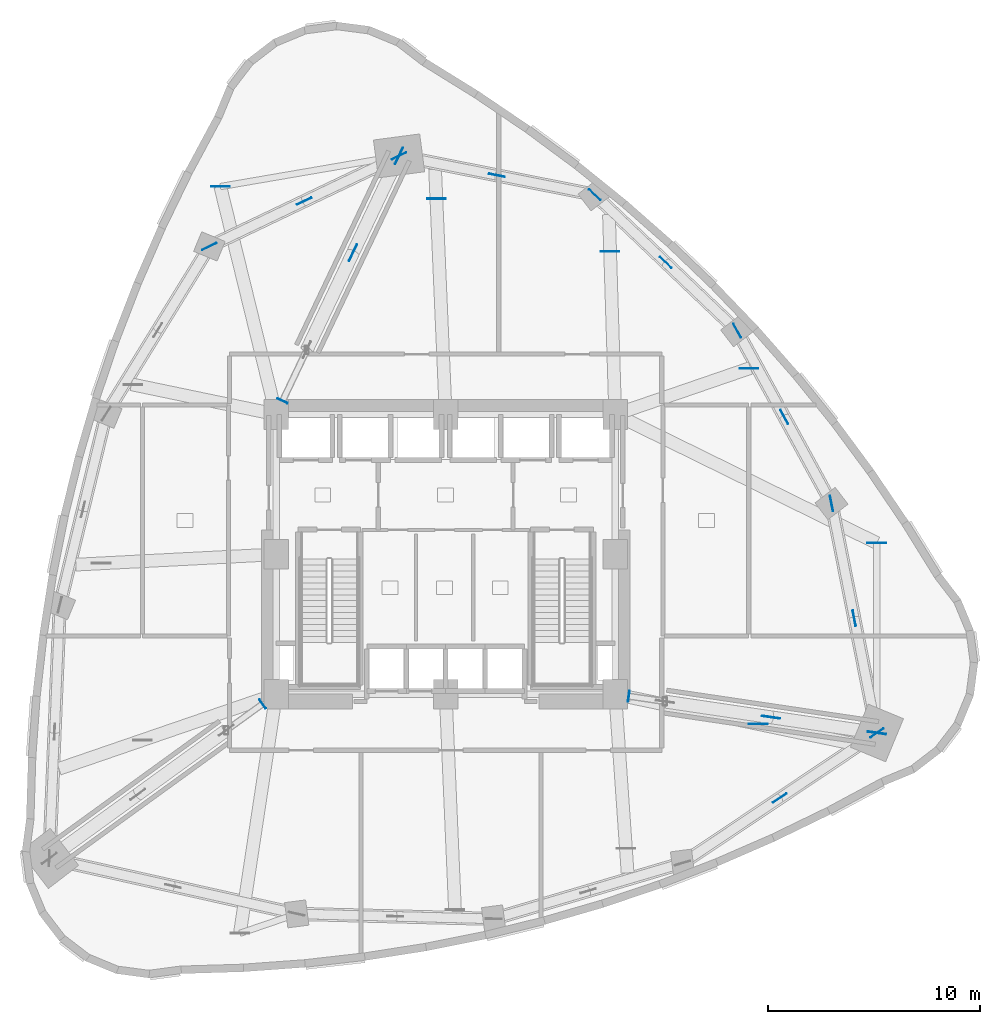
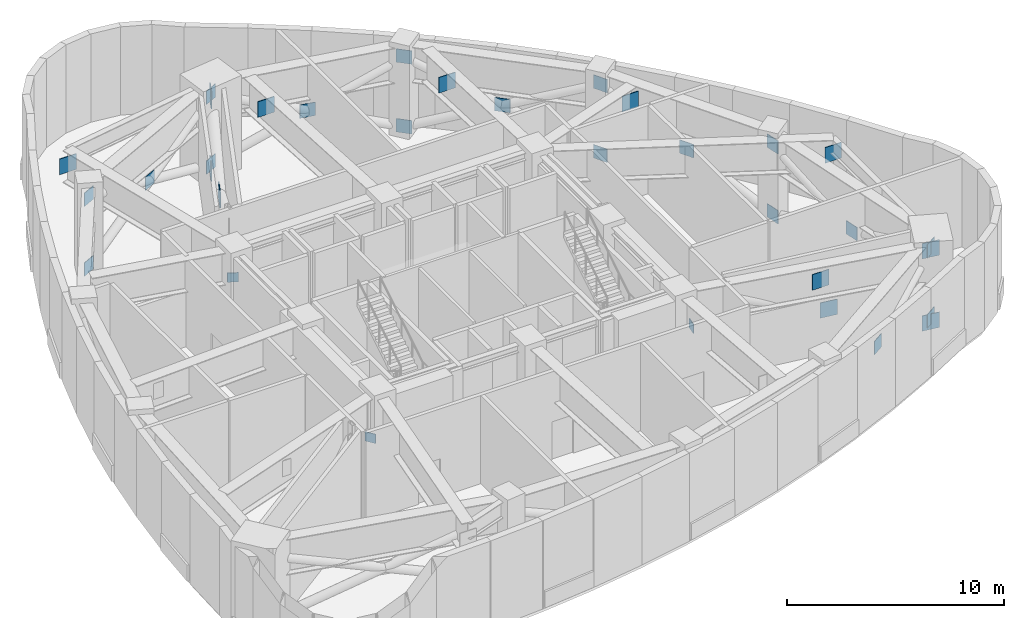
# One storey, part 5 of 13: 33 plates.
"""IFC4 building model written with IfcOpenShell, lengths in metres."""

import ifcopenshell
import ifcopenshell.guid

model = None  # the IFC model being written
_history = None  # IfcOwnerHistory: only IFC2X3 demands one
_inside = {}  # id of a spatial element -> (the spatial element, [elements in it])
_under = {}  # id of a project, library or spatial element -> (it, [spatial elements below it])
_declared = {}  # id of a project -> (the project, [libraries it declares])
_typed = {}  # id of a type object -> (the type object, [elements of that type])
_made_of = {}  # id of a material, layer set ... -> (it, [elements and type objects made of it])


def new_model(schema):
    """Start an empty IFC model of exactly this schema.

    Asked for "IFC4X3", IfcOpenShell would pick the latest addendum, in which some entities
    have other attributes; the version numbers below select the first issue.
    IFC2X3 requires an IfcOwnerHistory on every rooted entity: one is made here for all.
    """
    global model, _history
    if schema == "IFC4X3":
        model = ifcopenshell.file(schema_version=(4, 3, 0, 0))
    else:
        model = ifcopenshell.file(schema=schema)
    _inside.clear()
    _under.clear()
    _declared.clear()
    _typed.clear()
    _made_of.clear()
    _history = None
    if model.schema == "IFC2X3":
        org = make("IfcOrganization", Name="unknown")
        user = make(
            "IfcPersonAndOrganization",
            ThePerson=make("IfcPerson", FamilyName="unknown"),
            TheOrganization=org,
        )
        app = make(
            "IfcApplication",
            ApplicationDeveloper=org,
            Version="unknown",
            ApplicationFullName="unknown",
            ApplicationIdentifier="unknown",
        )
        _history = make(
            "IfcOwnerHistory",
            OwningUser=user,
            OwningApplication=app,
            ChangeAction="ADDED",
            CreationDate=0,
        )
    return model


def make(cls, **values):
    """One entity of the class cls with the attributes given. An attribute that is None is left unset."""
    return model.create_entity(
        cls, **{name: value for name, value in values.items() if value is not None}
    )


def rooted(cls, **values):
    """An entity with a GlobalId (a new one), such as an element, a storey or a relation."""
    return make(cls, GlobalId=ifcopenshell.guid.new(), OwnerHistory=_history, **values)


def si_unit(unit_type, name, prefix=None):
    """IfcSIUnit, for example si_unit("LENGTHUNIT", "METRE", prefix="MILLI")."""
    return make("IfcSIUnit", UnitType=unit_type, Prefix=prefix, Name=name)


def assignment(units):
    """IfcUnitAssignment: the units of a project."""
    return None if units is None else make("IfcUnitAssignment", Units=units)


def point(xyz):
    """IfcCartesianPoint."""
    return None if xyz is None else make("IfcCartesianPoint", Coordinates=xyz)


def direction(xyz):
    """IfcDirection."""
    return None if xyz is None else make("IfcDirection", DirectionRatios=xyz)


def frame(location, z_axis=None, x_axis=None):
    """IfcAxis2Placement3D, a coordinate frame: its origin and axes. An axis left out is left unset."""
    return make(
        "IfcAxis2Placement3D",
        Location=point(location),
        Axis=direction(z_axis),
        RefDirection=direction(x_axis),
    )


def frame_2d(location, x_axis=None):
    """IfcAxis2Placement2D, a coordinate frame in the plane: its origin and x axis."""
    return make(
        "IfcAxis2Placement2D", Location=point(location), RefDirection=direction(x_axis)
    )


def origin():
    """The frame at (0, 0, 0) with its axes left unset."""
    return frame((0.0, 0.0, 0.0))


def origin_2d():
    """The frame at (0, 0) in the plane with its x axis left unset."""
    return frame_2d((0.0, 0.0))


def place(relative_to, where):
    """IfcLocalPlacement: puts the frame where relative to a parent placement (None: the world)."""
    return make(
        "IfcLocalPlacement", PlacementRelTo=relative_to, RelativePlacement=where
    )


def context(
    kind, dimensions, precision=None, world=None, true_north=None, identifier=None
):
    """IfcGeometricRepresentationContext, for example the 3D "Model" context."""
    return make(
        "IfcGeometricRepresentationContext",
        ContextIdentifier=identifier,
        ContextType=kind,
        CoordinateSpaceDimension=dimensions,
        Precision=precision,
        WorldCoordinateSystem=world,
        TrueNorth=true_north,
    )


def subcontext(parent, identifier, kind, view, scale=None):
    """IfcGeometricRepresentationSubContext, for example "Body" below "Model"."""
    return make(
        "IfcGeometricRepresentationSubContext",
        ContextIdentifier=identifier,
        ContextType=kind,
        ParentContext=parent,
        TargetScale=scale,
        TargetView=view,
    )


def project(units=None, contexts=None):
    """IfcProject with its units and contexts."""
    return rooted(
        "IfcProject",
        Name="project",
        RepresentationContexts=contexts,
        UnitsInContext=assignment(units),
    )


def spatial(cls, under=None, at=None, **own):
    """A site, building, storey or space (cls), placed at a placement, below another one or the project."""
    s = rooted(cls, ObjectPlacement=at, **own)
    if under is not None:
        _under.setdefault(under.id(), (under, []))[1].append(s)
    return s


def profile(cls, at=None, kind="AREA", **sizes):
    """A parametric profile (cls). Its sizes go by their IFC names, for example OverallWidth=200.0."""
    return make(cls, ProfileType=kind, Position=at, **sizes)


def rectangle(**sizes):
    """IfcRectangleProfileDef."""
    return profile("IfcRectangleProfileDef", **sizes)


def extrude(swept, where, along, depth):
    """IfcExtrudedAreaSolid: the profile swept, set in the frame where, extruded along a direction by depth."""
    return make(
        "IfcExtrudedAreaSolid",
        SweptArea=swept,
        Position=where,
        ExtrudedDirection=direction(along),
        Depth=depth,
    )


def shape(context_of_items, identifier, shape_type, items):
    """IfcShapeRepresentation: the items that make up one representation, for example the "Body"."""
    return make(
        "IfcShapeRepresentation",
        ContextOfItems=context_of_items,
        RepresentationIdentifier=identifier,
        RepresentationType=shape_type,
        Items=items,
    )


def material(Name=None, Category=None):
    """IfcMaterial."""
    return make("IfcMaterial", Name=Name, Category=Category)


def layer(
    of_material, thickness, ventilated=None, Name=None, Category=None, Priority=None
):
    """IfcMaterialLayer: one layer of a wall or slab, of a material (None: an air gap)."""
    return make(
        "IfcMaterialLayer",
        Material=of_material,
        LayerThickness=thickness,
        IsVentilated=ventilated,
        Name=Name,
        Category=Category,
        Priority=Priority,
    )


def layer_set(layers, Name=None):
    """IfcMaterialLayerSet."""
    return make("IfcMaterialLayerSet", MaterialLayers=layers, LayerSetName=Name)


def made_of(thing, what):
    """Note that an element or type object is made of a material, layer set ...; save() writes the relation."""
    if what is not None:
        _made_of.setdefault(what.id(), (what, []))[1].append(thing)
    return thing


def type_object(cls, material=None, **own):
    """A type object (cls), such as IfcWallType, which elements share."""
    return made_of(rooted(cls, **own), material)


def element(
    cls,
    number,
    at=None,
    inside=None,
    cuts=None,
    type_object=None,
    material=None,
    context=None,
    identifier="Body",
    shape_type=None,
    held_by="IfcProductDefinitionShape",
    body=None,
    shapes=None,
    **own,
):
    """One element of the class cls, such as IfcWall. Its Tag is "e" and its number.

    at: its placement. inside: the storey or other place that contains it. cuts: it is an
    opening in that element (IfcRelVoidsElement). A single representation is given by context,
    identifier, shape_type and body (its items); several are given by shapes. held_by: the class
    of the entity that holds the representations. save() writes the other relations.
    """
    e = rooted(cls, Tag="e%d" % number, ObjectPlacement=at, **own)
    if body is not None:
        shapes = [shape(context, identifier, shape_type, body)]
    if shapes is not None:
        e.Representation = make(held_by, Representations=shapes)
    if inside is not None:
        _inside.setdefault(inside.id(), (inside, []))[1].append(e)
    if cuts is not None:
        rooted(
            "IfcRelVoidsElement", RelatingBuildingElement=cuts, RelatedOpeningElement=e
        )
    if type_object is not None:
        _typed.setdefault(type_object.id(), (type_object, []))[1].append(e)
    return made_of(e, material)


def aggregate(whole, parts):
    """IfcRelAggregates: a whole, such as a stair, and the parts it consists of."""
    return rooted("IfcRelAggregates", RelatingObject=whole, RelatedObjects=parts)


def save(model, path):
    """Write the relations noted so far, then the file.

    IfcRelAggregates (storeys below a building ...), IfcRelContainedInSpatialStructure (elements
    in a storey), IfcRelDefinesByType, IfcRelAssociatesMaterial and IfcRelDeclares: one each for
    every whole, place, type object, material and project.
    """
    for whole, parts in _under.values():
        aggregate(whole, parts)
    for where, things in _inside.values():
        rooted(
            "IfcRelContainedInSpatialStructure",
            RelatedElements=things,
            RelatingStructure=where,
        )
    for kind, things in _typed.values():
        rooted("IfcRelDefinesByType", RelatedObjects=things, RelatingType=kind)
    for what, things in _made_of.values():
        rooted("IfcRelAssociatesMaterial", RelatedObjects=things, RelatingMaterial=what)
    for by, libraries in _declared.values():
        rooted("IfcRelDeclares", RelatingContext=by, RelatedDefinitions=libraries)
    model.write(path)


model = new_model("IFC4")

# Units and contexts
model_context = context("Model", 3, precision=1e-05, world=origin(), true_north=direction((0.0, 1.0)))
body_context = subcontext(model_context, "Body", "Model", "MODEL_VIEW")
ifc_project = project(units=[si_unit("LENGTHUNIT", "METRE"), si_unit("AREAUNIT", "SQUARE_METRE"), si_unit("VOLUMEUNIT", "CUBIC_METRE"), si_unit("PLANEANGLEUNIT", "RADIAN"), si_unit("MASSUNIT", "GRAM", prefix="KILO")], contexts=[model_context])

# Site, building, storey
site_placement = place(None, origin())
site = spatial("IfcSite", under=ifc_project, at=site_placement, CompositionType="ELEMENT")
building_placement = place(site_placement, origin())
building = spatial("IfcBuilding", under=site, at=building_placement, Name="Ndelora Gate Hotel", CompositionType="ELEMENT")
storey_placement = place(building_placement, frame((0.0, 0.0, 83.0)))
storey = spatial("IfcBuildingStorey", under=building, at=storey_placement, Name="L20", CompositionType="ELEMENT", Elevation=83.0)

# Plates
ifc_material = material(Name="Steel S460", Category="steel")
ifc_layer_1 = layer(ifc_material, 0.035888671875)
ifc_layer_set_1 = layer_set([ifc_layer_1], Name="Steel S460")
plate_type_1 = type_object("IfcPlateType", Name="PL-EMBED-EP1", PredefinedType="USERDEFINED", material=ifc_layer_set_1)
for number, where, z_axis, x_axis, name in (
    (1, (-7.69580078125, 7.239990234375, 2.5400390625), (0.0, 0.0, 1.0), (-0.903110579136, 0.429408059837, 0.0), "L20 Core shear-wall cast-in embed plate EP1"),
    (2, (-8.639892578125, -7.0634765625, 2.5400390625), (0.0, 0.0, 1.0), (-0.586513726741, 0.809939286826, 0.0), "L20 Core shear-wall cast-in embed plate EP1"),
    (3, (8.639892578125, -6.69482421875, 2.5400390625), (0.0, 0.0, 1.0), (0.146600990296, 0.989195708464, 0.0), "L20 Core shear-wall cast-in embed plate EP1"),
):
    element("IfcPlate", number, at=place(storey_placement, frame(where, z_axis=z_axis, x_axis=x_axis)), inside=storey, type_object=plate_type_1, Name=name, ObjectType="BASE_PLATE", PredefinedType="USERDEFINED", context=body_context, shape_type="SweptSolid", body=[
        extrude(rectangle(XDim=0.52001953125, YDim=0.035888671875, at=origin_2d()), origin(), (0.0, 0.0, 1.0), 0.52001953125),
    ])
ifc_layer_2 = layer(ifc_material, 0.031982421875)
ifc_layer_set_2 = layer_set([ifc_layer_2], Name="Steel S460")
plate_type_2 = type_object("IfcPlateType", Name="PL-NODE-BN1", PredefinedType="USERDEFINED", material=ifc_layer_set_2)
for number, where, z_axis, x_axis, name in (
    (4, (-2.199951171875, 18.800048828125, -0.135009765625), (0.0, 0.0, 1.0), (0.902510132242, 0.4306686211, 0.0), "Node gusset cap plate BN1"),
    (5, (-11.1484375, 14.529052734375, 3.784912109375), (0.0, 0.0, 1.0), (0.902510132242, 0.4306686211, 0.0), "Node gusset cap plate BN1"),
    (6, (-11.1484375, 14.529052734375, -0.135009765625), (0.0, 0.0, 1.0), (0.902510132242, 0.4306686211, 0.0), "Node gusset cap plate BN1"),
    (7, (-2.199951171875, 18.800048828125, 3.784912109375), (0.0, 0.0, 1.0), (0.902510132242, 0.4306686211, 0.0), "Node gusset cap plate BN1"),
    (8, (-6.67431640625, 16.66455078125, 1.824951171875), (0.0, 0.0, 1.0), (0.902510132242, 0.4306686211, 0.0), "Node gusset cap plate BN1"),
    (9, (20.35009765625, -8.42919921875, 3.784912109375), (0.0, 0.0, 1.0), (0.830984469274, 0.5562956155, 0.0), "Node gusset cap plate BN1"),
    (10, (20.35009765625, -8.42919921875, -0.135009765625), (0.0, 0.0, 1.0), (0.830984469274, 0.5562956155, 0.0), "Node gusset cap plate BN1"),
    (11, (15.764892578125, -11.499267578125, 1.824951171875), (0.0, 0.0, 1.0), (0.830984469274, 0.5562956155, 0.0), "Node gusset cap plate BN1"),
    (12, (18.207275390625, 2.39697265625, 3.784912109375), (0.0, 0.0, 1.0), (-0.19423435122, 0.980955155349, 0.0), "Node gusset cap plate BN1"),
    (13, (18.207275390625, 2.39697265625, -0.135009765625), (0.0, 0.0, 1.0), (-0.19423435122, 0.980955155349, 0.0), "Node gusset cap plate BN1"),
    (14, (19.278564453125, -3.01611328125, 1.824951171875), (0.0, 0.0, 1.0), (-0.19423435122, 0.980955155349, 0.0), "Node gusset cap plate BN1"),
    (15, (13.75390625, 10.5537109375, 3.784912109375), (0.0, 0.0, 1.0), (-0.479151503112, 0.877732212617, 0.0), "Node gusset cap plate BN1"),
    (16, (13.75390625, 10.5537109375, -0.135009765625), (0.0, 0.0, 1.0), (-0.479151503112, 0.877732212617, 0.0), "Node gusset cap plate BN1"),
    (17, (15.980712890625, 6.475341796875, 1.824951171875), (0.0, 0.0, 1.0), (-0.479151503112, 0.877732212617, 0.0), "Node gusset cap plate BN1"),
    (18, (7.027587890625, 16.96630859375, 3.784912109375), (0.0, 0.0, 1.0), (-0.723810678237, 0.689998624687, 0.0), "Node gusset cap plate BN1"),
    (19, (7.027587890625, 16.96630859375, -0.135009765625), (0.0, 0.0, 1.0), (-0.723810678237, 0.689998624687, 0.0), "Node gusset cap plate BN1"),
    (20, (10.390869140625, 13.760009765625, 1.824951171875), (0.0, 0.0, 1.0), (-0.723810678237, 0.689998624687, 0.0), "Node gusset cap plate BN1"),
    (21, (2.413818359375, 17.88330078125, 1.824951171875), (0.0, 0.0, 1.0), (-0.980819315149, 0.194919139722, 0.0), "Node gusset cap plate BN1"),
):
    element("IfcPlate", number, at=place(storey_placement, frame(where, z_axis=z_axis, x_axis=x_axis)), inside=storey, type_object=plate_type_2, Name=name, ObjectType="GUSSET_PLATE", PredefinedType="USERDEFINED", context=body_context, shape_type="SweptSolid", body=[
        extrude(rectangle(XDim=0.75, YDim=0.031982421875, at=origin_2d()), origin(), (0.0, 0.0, 1.0), 0.75),
    ])
ifc_layer_3 = layer(ifc_material, 0.0380859375)
ifc_layer_set_3 = layer_set([ifc_layer_3], Name="Steel S460")
plate_type_3 = type_object("IfcPlateType", Name="PL-NODE-KN1", PredefinedType="USERDEFINED", material=ifc_layer_set_3)
for number, where, z_axis, x_axis, name in (
    (22, (-10.63330078125, 17.351806640625, 3.6201171875), (0.0, 0.0, 1.0), (1.0, 0.0, 0.0), "Node gusset cap plate KN1"),
    (23, (20.34375, 0.53271484375, 3.6201171875), (0.0, 0.0, 1.0), (1.0, 0.0, 0.0), "Node gusset cap plate KN1"),
    (24, (14.74658203125, -8.006591796875, 3.6201171875), (0.0, 0.0, 1.0), (1.0, 0.0, 0.0), "Node gusset cap plate KN1"),
    (25, (14.30712890625, 8.767333984375, 3.6201171875), (0.0, 0.0, 1.0), (1.0, 0.0, 0.0), "Node gusset cap plate KN1"),
    (26, (7.759033203125, 14.290283203125, 3.6201171875), (0.0, 0.0, 1.0), (1.0, 0.0, 0.0), "Node gusset cap plate KN1"),
    (27, (-0.439208984375, 16.7744140625, 3.6201171875), (0.0, 0.0, 1.0), (1.0, 0.0, 0.0), "Node gusset cap plate KN1"),
):
    element("IfcPlate", number, at=place(storey_placement, frame(where, z_axis=z_axis, x_axis=x_axis)), inside=storey, type_object=plate_type_3, Name=name, ObjectType="GUSSET_PLATE", PredefinedType="USERDEFINED", context=body_context, shape_type="SweptSolid", body=[
        extrude(rectangle(XDim=0.8798828125, YDim=0.0380859375, at=origin_2d()), origin(), (0.0, 0.0, 1.0), 0.8798828125),
    ])
ifc_layer_4 = layer(ifc_material, 0.035888671875)
ifc_layer_set_4 = layer_set([ifc_layer_4], Name="Steel S460")
plate_type_4 = type_object("IfcPlateType", Name="PL-NODE-ON1", PredefinedType="USERDEFINED", material=ifc_layer_set_4)
for number, where, z_axis, x_axis, name in (
    (28, (-2.199951171875, 18.800048828125, 3.6298828125), (0.0, 0.0, 1.0), (0.429408059837, 0.903110579136, 0.0), "Node gusset cap plate ON1"),
    (29, (-2.199951171875, 18.800048828125, -0.43017578125), (0.0, 0.0, 1.0), (0.429408059837, 0.903110579136, 0.0), "Node gusset cap plate ON1"),
    (30, (-4.375, 14.22509765625, 1.60009765625), (0.0, 0.0, 1.0), (0.429408059837, 0.903110579136, 0.0), "Node gusset cap plate ON1"),
    (31, (20.35009765625, -8.42919921875, 3.6298828125), (0.0, 0.0, 1.0), (-0.989195708464, 0.146600990296, 0.0), "Node gusset cap plate ON1"),
    (32, (20.35009765625, -8.42919921875, -0.43017578125), (0.0, 0.0, 1.0), (-0.989195708464, 0.146600990296, 0.0), "Node gusset cap plate ON1"),
    (33, (15.35009765625, -7.688720703125, 1.60009765625), (0.0, 0.0, 1.0), (-0.989195708464, 0.146600990296, 0.0), "Node gusset cap plate ON1"),
):
    element("IfcPlate", number, at=place(storey_placement, frame(where, z_axis=z_axis, x_axis=x_axis)), inside=storey, type_object=plate_type_4, Name=name, ObjectType="GUSSET_PLATE", PredefinedType="USERDEFINED", context=body_context, shape_type="SweptSolid", body=[
        extrude(rectangle(XDim=0.860107421875, YDim=0.035888671875, at=origin_2d()), origin(), (0.0, 0.0, 1.0), 0.860107421875),
    ])

save(model, "model.ifc")
